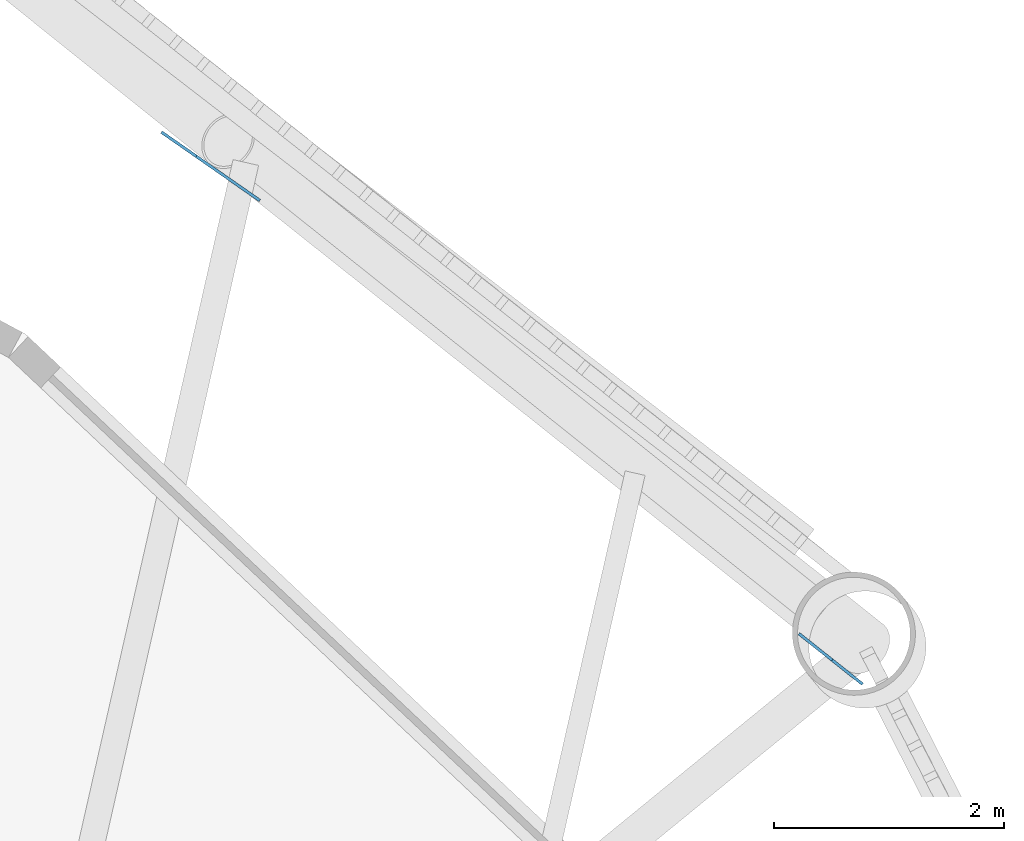
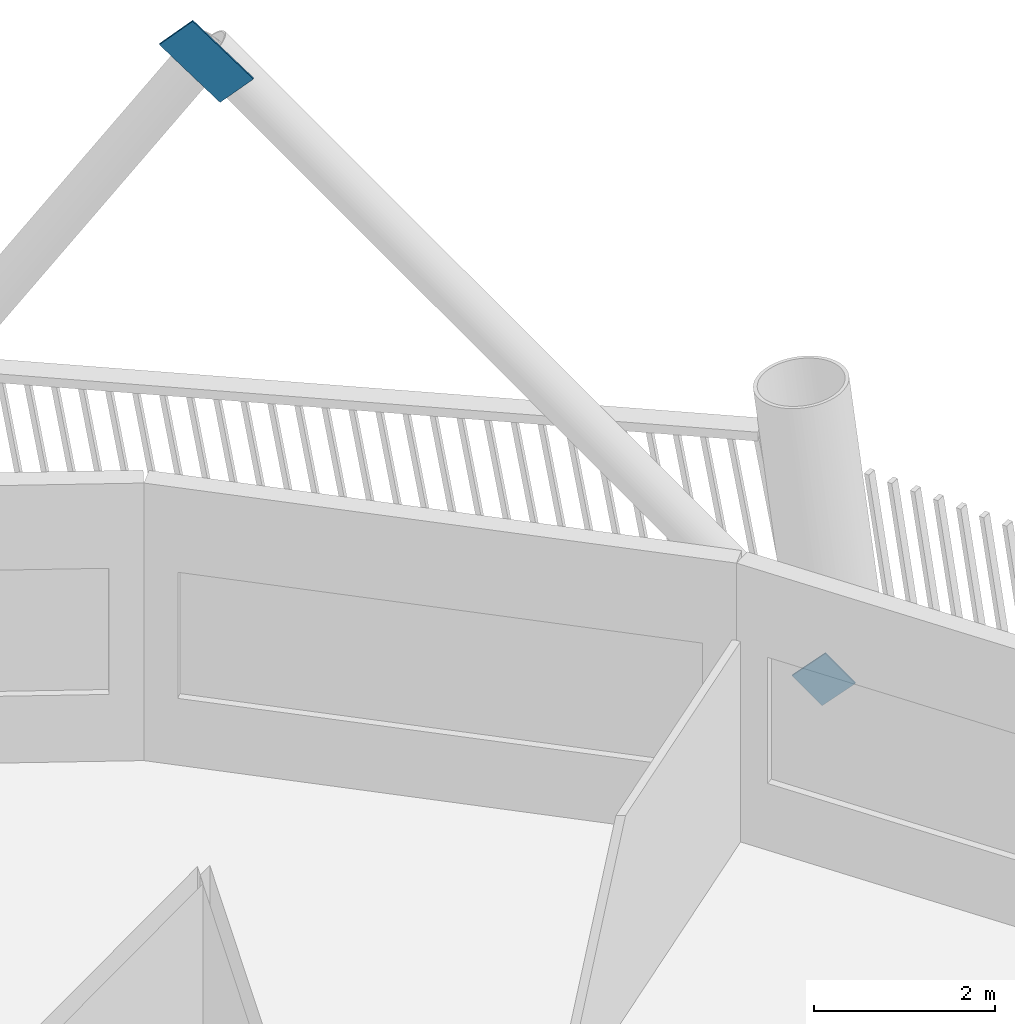
# One storey, part 12 of 23: 2 discrete accessories.
"""IFC4 building model written with IfcOpenShell, lengths in metres."""

from ifc_helpers import new_model, si_unit, direction, frame, origin, origin_2d, place, context, subcontext, project, spatial, rectangle, extrude, material, material_profile, profile_set, type_object, element, save


model = new_model("IFC4")

# Units and contexts
model_context = context("Model", 3, precision=1e-05, world=origin(), true_north=direction((0.0, 1.0)))
body_context = subcontext(model_context, "Body", "Model", "MODEL_VIEW")
ifc_project = project(units=[si_unit("LENGTHUNIT", "METRE"), si_unit("AREAUNIT", "SQUARE_METRE"), si_unit("VOLUMEUNIT", "CUBIC_METRE"), si_unit("PLANEANGLEUNIT", "RADIAN"), si_unit("MASSUNIT", "GRAM", prefix="KILO")], contexts=[model_context])

# Site, building, storey
site_placement = place(None, origin())
site = spatial("IfcSite", under=ifc_project, at=site_placement, CompositionType="ELEMENT")
building_placement = place(site_placement, origin())
building = spatial("IfcBuilding", under=site, at=building_placement, Name="Tarsis Ring Headquarters", CompositionType="ELEMENT")
storey_placement = place(building_placement, frame((0.0, 0.0, 231.60009765625)))
storey = spatial("IfcBuildingStorey", under=building, at=storey_placement, Name="L54", CompositionType="ELEMENT", Elevation=231.60009765625)

# Discrete accessories
ifc_material = material(Name="Structural steel S355", Category="steel")
ifc_material_profile = material_profile(ifc_material, rectangle(XDim=0.02490234375, YDim=0.5, at=origin_2d()), Name="PL 25x500")
ifc_profile_set = profile_set([ifc_material_profile], Name="Structural steel S355")
discrete_accessory_type = type_object("IfcDiscreteAccessoryType", Name="Gusset plate Exo brace 25", PredefinedType="BRACKET", material=ifc_profile_set)
discrete_accessory_1_placement = place(storey_placement, frame((22.33251953125, 18.16650390625, 0.0), z_axis=(-0.526444258794, 0.418029949469, 0.740342760976), x_axis=(-0.621855936478, -0.783131658322, 0.0)))
element("IfcDiscreteAccessory", 1, at=discrete_accessory_1_placement, inside=storey, type_object=discrete_accessory_type, Name="Gusset plate GP5", PredefinedType="BRACKET", context=body_context, shape_type="SweptSolid", body=[
    extrude(rectangle(XDim=0.02490234375, YDim=0.5, at=origin_2d()), origin(), (0.0, 0.0, 1.0), 0.5),
])
discrete_accessory_2_placement = place(storey_placement, frame((17.081298828125, 22.365234375, 7.429931640625), z_axis=(-0.552282239541, 0.384302495596, 0.739794511852), x_axis=(-0.571170804507, -0.820831232398, 0.0)))
element("IfcDiscreteAccessory", 2, at=discrete_accessory_2_placement, inside=storey, type_object=discrete_accessory_type, Name="Gusset plate GP5", PredefinedType="BRACKET", context=body_context, shape_type="SweptSolid", body=[
    extrude(rectangle(XDim=0.02490234375, YDim=0.5, at=origin_2d()), origin(), (0.0, 0.0, 1.0), 1.0),
])

save(model, "model.ifc")
